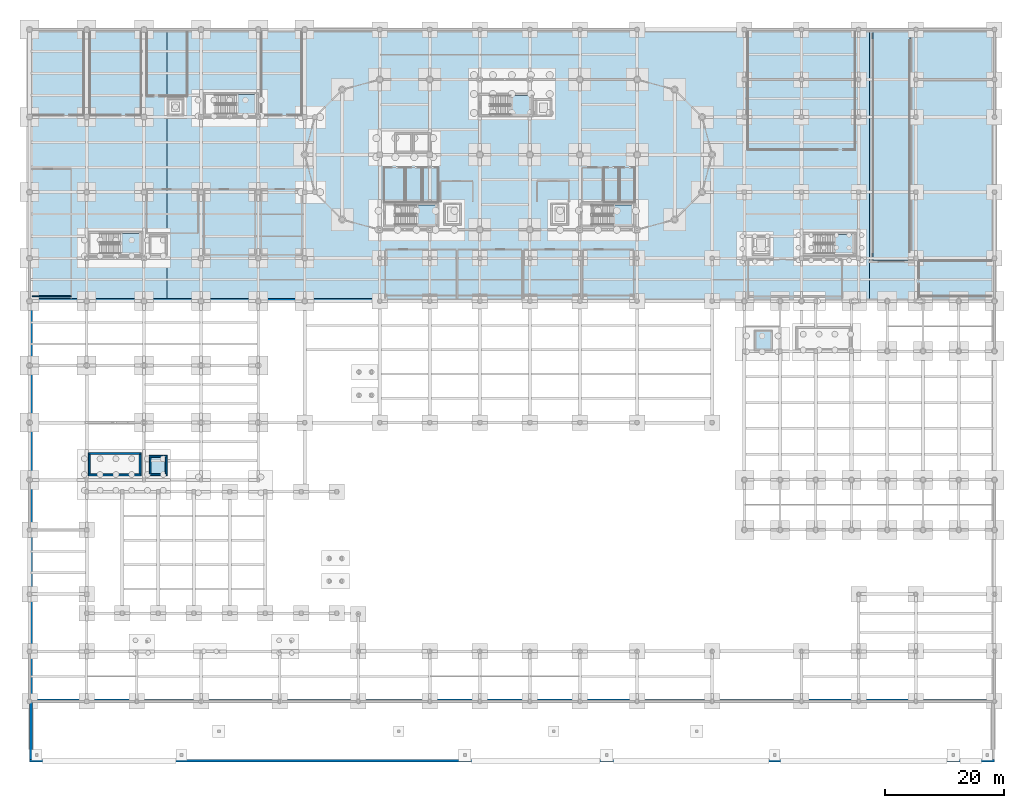
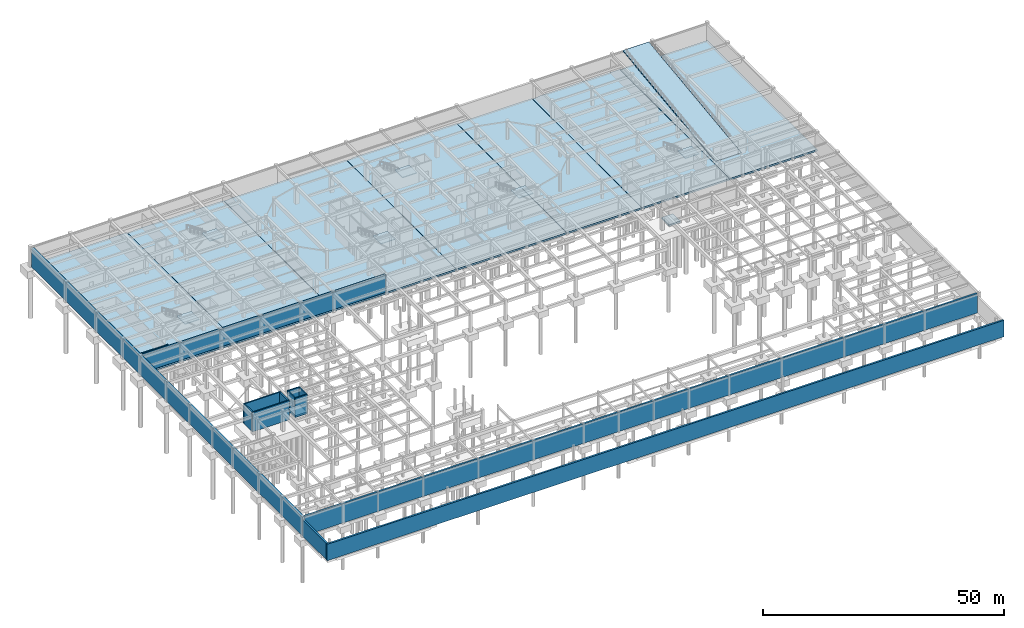
# One storey, part 20 of 37: 16 slabs, 14 walls, 6 elements without a shape of their own.
"""IFC4 building model written with IfcOpenShell, lengths in metres."""

from ifc_helpers import new_model, si_unit, direction, frame, frame_2d, origin, place, context, subcontext, project, spatial, polyline, rectangle, outline, extrude, material, layer, layer_set, type_object, element, aggregate, save


model = new_model("IFC4")

# Units and contexts
model_context = context("Model", 3, precision=1e-05, world=origin(), true_north=direction((0.0, 1.0)))
body_context = subcontext(model_context, "Body", "Model", "MODEL_VIEW")
ifc_project = project(units=[si_unit("LENGTHUNIT", "METRE"), si_unit("AREAUNIT", "SQUARE_METRE"), si_unit("VOLUMEUNIT", "CUBIC_METRE"), si_unit("PLANEANGLEUNIT", "RADIAN"), si_unit("MASSUNIT", "GRAM", prefix="KILO")], contexts=[model_context])

# Site, building, storey
site_placement = place(None, origin())
site = spatial("IfcSite", under=ifc_project, at=site_placement, CompositionType="ELEMENT")
building_placement = place(site_placement, origin())
building = spatial("IfcBuilding", under=site, at=building_placement, Name="Tarnavel Promenade Courthouse", CompositionType="ELEMENT")
storey_placement = place(building_placement, frame((0.0, 0.0, -4.800048828125)))
storey = spatial("IfcBuildingStorey", under=building, at=storey_placement, Name="B01", CompositionType="ELEMENT", Elevation=-4.800048828125)

# Slabs
ifc_material_1 = material(Name="Concrete C35/45", Category="concrete")
ifc_layer_1 = layer(ifc_material_1, 0.419921875)
ifc_layer_set_1 = layer_set([ifc_layer_1], Name="Concrete C35/45")
slab_type_1 = type_object("IfcSlabType", Name="Concrete C35/45 SLB-BASE-420 (420 mm)", PredefinedType="BASESLAB", material=ifc_layer_set_1)
slab_1_placement = place(storey_placement, frame((0.0, 0.0, -0.419921875)))
element("IfcSlab", 1, at=slab_1_placement, inside=storey, type_object=slab_type_1, Name="B01 West Trial Undercroft Base Slab", PredefinedType="BASESLAB", context=body_context, shape_type="SweptSolid", body=[
    extrude(outline(polyline([(0.0, 67.199951171875), (23.080078125, 67.199951171875), (23.080078125, 112.800048828125), (1.39990234375, 112.800048828125), (1.39990234375, 112.639892578125), (0.0, 112.639892578125), (0.0, 67.199951171875)])), origin(), (0.0, 0.0, 1.0), 0.419921875),
])
slab_2_placement = place(storey_placement, frame((0.0, 0.0, -0.419921875)))
element("IfcSlab", 2, at=slab_2_placement, inside=storey, type_object=slab_type_1, Name="B01 East Trial Garage Base Slab", PredefinedType="BASESLAB", context=body_context, shape_type="SweptSolid", body=[
    extrude(outline(polyline([(23.1201171875, 67.199951171875), (46.179931640625, 67.199951171875), (46.179931640625, 112.800048828125), (24.52001953125, 112.800048828125), (24.52001953125, 112.639892578125), (23.1201171875, 112.639892578125), (23.1201171875, 67.199951171875)])), origin(), (0.0, 0.0, 1.0), 0.419921875),
])
slab_3_placement = place(storey_placement, frame((0.0, 0.0, -0.419921875)))
element("IfcSlab", 3, at=slab_3_placement, inside=storey, type_object=slab_type_1, Name="B01 West Bar Judicial Archive Base Slab", PredefinedType="BASESLAB", context=body_context, shape_type="SweptSolid", body=[
    extrude(outline(polyline([(46.219970703125, 67.199951171875), (75.580078125, 67.199951171875), (75.580078125, 112.800048828125), (47.6201171875, 112.800048828125), (47.6201171875, 112.639892578125), (46.219970703125, 112.639892578125), (46.219970703125, 67.199951171875)])), origin(), (0.0, 0.0, 1.0), 0.419921875),
])
slab_4_placement = place(storey_placement, frame((0.0, 0.0, -0.419921875)))
element("IfcSlab", 4, at=slab_4_placement, inside=storey, type_object=slab_type_1, Name="B01 Central Bar MEP Plant Base Slab", PredefinedType="BASESLAB", context=body_context, shape_type="SweptSolid", body=[
    extrude(outline(polyline([(75.6201171875, 67.199951171875), (101.97998046875, 67.199951171875), (101.97998046875, 112.800048828125), (77.02001953125, 112.800048828125), (77.02001953125, 112.639892578125), (75.6201171875, 112.639892578125), (75.6201171875, 67.199951171875)])), origin(), (0.0, 0.0, 1.0), 0.419921875),
])
slab_5_placement = place(storey_placement, frame((0.0, 0.0, -0.419921875)))
element("IfcSlab", 5, at=slab_5_placement, inside=storey, type_object=slab_type_1, Name="B01 East Bar Judicial Garage Base Slab", PredefinedType="BASESLAB", context=body_context, shape_type="SweptSolid", body=[
    extrude(outline(polyline([(102.02001953125, 67.199951171875), (119.97998046875, 67.199951171875), (119.97998046875, 112.800048828125), (103.419921875, 112.800048828125), (103.419921875, 112.639892578125), (102.02001953125, 112.639892578125), (102.02001953125, 67.199951171875)])), origin(), (0.0, 0.0, 1.0), 0.419921875),
])
slab_6_placement = place(storey_placement, frame((0.0, 0.0, -0.419921875)))
element("IfcSlab", 6, at=slab_6_placement, inside=storey, type_object=slab_type_1, Name="B01 Custody Core Base Slab", PredefinedType="BASESLAB", context=body_context, shape_type="SweptSolid", body=[
    extrude(outline(polyline([(120.02001953125, 67.199951171875), (140.97998046875, 67.199951171875), (140.97998046875, 112.800048828125), (121.419921875, 112.800048828125), (121.419921875, 112.639892578125), (120.02001953125, 112.639892578125), (120.02001953125, 67.199951171875)])), origin(), (0.0, 0.0, 1.0), 0.419921875),
])
slab_7_placement = place(storey_placement, frame((0.0, 0.0, -0.419921875)))
element("IfcSlab", 7, at=slab_7_placement, inside=storey, type_object=slab_type_1, Name="B01 Vehicle Ramp Base Slab", PredefinedType="BASESLAB", context=body_context, shape_type="SweptSolid", body=[
    extrude(outline(polyline([(141.02001953125, 67.199951171875), (162.0, 67.199951171875), (162.0, 112.800048828125), (142.419921875, 112.800048828125), (142.419921875, 112.639892578125), (141.02001953125, 112.639892578125), (141.02001953125, 67.199951171875)])), origin(), (0.0, 0.0, 1.0), 0.419921875),
])
ifc_layer_2 = layer(ifc_material_1, 0.3798828125)
ifc_layer_set_2 = layer_set([ifc_layer_2], Name="Concrete C35/45")
slab_type_2 = type_object("IfcSlabType", Name="Concrete C35/45 SLB-PIT-380 (380 mm)", PredefinedType="BASESLAB", material=ifc_layer_set_2)
slab_8_placement = place(storey_placement, frame((0.0, 0.0, -0.419921875)))
element("IfcSlab", 8, at=slab_8_placement, inside=storey, type_object=slab_type_2, Name="L-PUB4 Tanked Lift Pit Base Slab", PredefinedType="BASESLAB", context=body_context, shape_type="SweptSolid", body=[
    extrude(outline(polyline([(121.840087890625, 59.0400390625), (124.56005859375, 59.0400390625), (124.56005859375, 62.159912109375), (121.840087890625, 62.159912109375), (121.840087890625, 59.0400390625)])), origin(), (0.0, 0.0, 1.0), 0.3798828125),
])
slab_9_placement = place(storey_placement, frame((0.0, 0.0, -0.419921875)))
element("IfcSlab", 9, at=slab_9_placement, inside=storey, type_object=slab_type_2, Name="L-LIB1 Tanked Lift Pit Base Slab", PredefinedType="BASESLAB", context=body_context, shape_type="SweptSolid", body=[
    extrude(outline(polyline([(20.239990234375, 38.0400390625), (22.9599609375, 38.0400390625), (22.9599609375, 41.159912109375), (20.239990234375, 41.159912109375), (20.239990234375, 38.0400390625)])), origin(), (0.0, 0.0, 1.0), 0.3798828125),
])
ifc_layer_3 = layer(ifc_material_1, 0.25)
ifc_layer_set_3 = layer_set([ifc_layer_3], Name="Concrete C35/45")
slab_type_3 = type_object("IfcSlabType", Name="Concrete C35/45 SLB-RMP-250 (250 mm)", PredefinedType="FLOOR", material=ifc_layer_set_3)
slab_10_placement = place(storey_placement, frame((141.60009765625, 74.050048828125, 0.0), z_axis=(0.0, -0.124036287512, 0.992277682597), x_axis=(1.0, 0.0, 0.0)))
element("IfcSlab", 10, at=slab_10_placement, inside=storey, type_object=slab_type_3, Name="Judicial Car Park Structural Vehicle Ramp Slab", PredefinedType="FLOOR", context=body_context, shape_type="SweptSolid", body=[
    extrude(outline(polyline([(0.0, 0.0), (6.199951171875, 0.0), (6.199951171875, 38.69874634612756), (0.0, 38.69874634612756), (0.0, 0.0)])), origin(), (0.0, 0.0, -1.0), 0.25),
])

# Stair, slab
stair_type_1 = type_object("IfcStairType", Name="Concrete C35/45 Half-Turn Stair STR-01 (1560W-300G-26R)", PredefinedType="HALF_TURN_STAIR", material=ifc_material_1)
stair_1_placement = place(storey_placement, origin())
stair_1 = element("IfcStair", 11, at=stair_1_placement, inside=storey, type_object=stair_type_1, Name="B01 West Bar Firefighting Exit Stair", PredefinedType="HALF_TURN_STAIR")
ifc_layer_4 = layer(ifc_material_1, 0.205078125)
ifc_layer_set_4 = layer_set([ifc_layer_4], Name="Concrete C35/45")
slab_type_4 = type_object("IfcSlabType", Name="Concrete C35/45 Stair Landing SLB-LND-205 (205 mm)", PredefinedType="LANDING", material=ifc_layer_set_4)
slab_11_placement = place(storey_placement, frame((0.0, 0.0, 2.199951171875)))
slab_11 = element("IfcSlab", 12, at=slab_11_placement, type_object=slab_type_4, Name="ST-01 landing 1", PredefinedType="LANDING", context=body_context, shape_type="SweptSolid", body=[
    extrude(outline(polyline([(64.9599609375, 80.0), (68.39990234375, 80.0), (68.39990234375, 83.320068359375), (64.9599609375, 83.320068359375), (64.9599609375, 80.0)])), origin(), (0.0, 0.0, 1.0), 0.2001953125),
])
aggregate(stair_1, [slab_11])

stair_2_placement = place(storey_placement, origin())
stair_2 = element("IfcStair", 13, at=stair_2_placement, inside=storey, type_object=stair_type_1, Name="B01 East Bar Firefighting Exit Stair", PredefinedType="HALF_TURN_STAIR")
slab_12_placement = place(storey_placement, frame((0.0, 0.0, 2.199951171875)))
slab_12 = element("IfcSlab", 14, at=slab_12_placement, type_object=slab_type_4, Name="ST-02 landing 1", PredefinedType="LANDING", context=body_context, shape_type="SweptSolid", body=[
    extrude(outline(polyline([(97.9599609375, 80.0), (101.39990234375, 80.0), (101.39990234375, 83.320068359375), (97.9599609375, 83.320068359375), (97.9599609375, 80.0)])), origin(), (0.0, 0.0, 1.0), 0.2001953125),
])
aggregate(stair_2, [slab_12])

stair_type_2 = type_object("IfcStairType", Name="Concrete C35/45 Half-Turn Stair STR-04 (1520W-290G-26R)", PredefinedType="HALF_TURN_STAIR", material=ifc_material_1)
stair_3_placement = place(storey_placement, origin())
stair_3 = element("IfcStair", 15, at=stair_3_placement, inside=storey, type_object=stair_type_2, Name="B01 Central Judicial Chambers Exit Stair", PredefinedType="HALF_TURN_STAIR")
slab_13_placement = place(storey_placement, frame((0.0, 0.0, 2.199951171875)))
slab_13 = element("IfcSlab", 16, at=slab_13_placement, type_object=slab_type_4, Name="ST-03 landing 1", PredefinedType="LANDING", context=body_context, shape_type="SweptSolid", body=[
    extrude(outline(polyline([(80.800048828125, 98.5), (84.199951171875, 98.5), (84.199951171875, 101.739990234375), (80.800048828125, 101.739990234375), (80.800048828125, 98.5)])), origin(), (0.0, 0.0, 1.0), 0.2001953125),
])
aggregate(stair_3, [slab_13])

stair_type_3 = type_object("IfcStairType", Name="Concrete C35/45 Half-Turn Stair STR-07 (1580W-290G-26R)", PredefinedType="HALF_TURN_STAIR", material=ifc_material_1)
stair_4_placement = place(storey_placement, origin())
stair_4 = element("IfcStair", 17, at=stair_4_placement, inside=storey, type_object=stair_type_3, Name="B01 Trial Courts West Exit Stair", PredefinedType="HALF_TURN_STAIR")
slab_14_placement = place(storey_placement, frame((0.0, 0.0, 2.199951171875)))
slab_14 = element("IfcSlab", 18, at=slab_14_placement, type_object=slab_type_4, Name="ST-04 landing 1", PredefinedType="LANDING", context=body_context, shape_type="SweptSolid", body=[
    extrude(outline(polyline([(15.260009765625, 75.199951171875), (18.699951171875, 75.199951171875), (18.699951171875, 78.56005859375), (15.260009765625, 78.56005859375), (15.260009765625, 75.199951171875)])), origin(), (0.0, 0.0, 1.0), 0.2001953125),
])
aggregate(stair_4, [slab_14])

stair_type_4 = type_object("IfcStairType", Name="Concrete C35/45 Half-Turn Stair STR-10 (1540W-300G-26R)", PredefinedType="HALF_TURN_STAIR", material=ifc_material_1)
stair_5_placement = place(storey_placement, origin())
stair_5 = element("IfcStair", 19, at=stair_5_placement, inside=storey, type_object=stair_type_4, Name="B01 Trial Courts North Exit Stair", PredefinedType="HALF_TURN_STAIR")
slab_15_placement = place(storey_placement, frame((0.0, 0.0, 2.199951171875)))
slab_15 = element("IfcSlab", 20, at=slab_15_placement, type_object=slab_type_4, Name="ST-07 landing 1", PredefinedType="LANDING", context=body_context, shape_type="SweptSolid", body=[
    extrude(outline(polyline([(34.739990234375, 98.60009765625), (38.10009765625, 98.60009765625), (38.10009765625, 101.8798828125), (34.739990234375, 101.8798828125), (34.739990234375, 98.60009765625)])), origin(), (0.0, 0.0, 1.0), 0.2001953125),
])
aggregate(stair_5, [slab_15])

stair_type_5 = type_object("IfcStairType", Name="Concrete C35/45 Half-Turn Stair STR-15 (1500W-280G-26R)", PredefinedType="HALF_TURN_STAIR", material=ifc_material_1)
stair_6_placement = place(storey_placement, origin())
stair_6 = element("IfcStair", 21, at=stair_6_placement, inside=storey, type_object=stair_type_5, Name="B01 Custody Suite Protected Exit Stair", PredefinedType="HALF_TURN_STAIR")
slab_16_placement = place(storey_placement, frame((0.0, 0.0, 2.199951171875)))
slab_16 = element("IfcSlab", 22, at=slab_16_placement, type_object=slab_type_4, Name="ST-06 landing 1", PredefinedType="LANDING", context=body_context, shape_type="SweptSolid", body=[
    extrude(outline(polyline([(135.06005859375, 75.199951171875), (138.39990234375, 75.199951171875), (138.39990234375, 78.39990234375), (135.06005859375, 78.39990234375), (135.06005859375, 75.199951171875)])), origin(), (0.0, 0.0, 1.0), 0.2001953125),
])
aggregate(stair_6, [slab_16])

# Walls
ifc_layer_5 = layer(ifc_material_1, 0.449951171875)
ifc_layer_set_5 = layer_set([ifc_layer_5], Name="Concrete C35/45")
wall_type_1 = type_object("IfcWallType", Name="Concrete C35/45 WL-RET-450 (450 mm)", PredefinedType="SOLIDWALL", material=ifc_layer_set_5)
wall_1_placement = place(storey_placement, frame((58.800048828125, 67.449951171875, -0.419921875), z_axis=(0.0, 0.0, 1.0), x_axis=(-1.0, 0.0, 0.0)))
element("IfcWall", 23, at=wall_1_placement, inside=storey, type_object=wall_type_1, Name="B01 South Perimeter Retaining Wall 0002", PredefinedType="SOLIDWALL", context=body_context, shape_type="SweptSolid", body=[
    extrude(rectangle(XDim=58.300048828125, YDim=0.449951171875, at=frame_2d((29.14990234375, 0.0))), origin(), (0.0, 0.0, 1.0), 4.869873046875),
])
wall_2_placement = place(storey_placement, frame((0.5, 0.219970703125, -0.419921875), z_axis=(0.0, 0.0, 1.0), x_axis=(1.0, 0.0, 0.0)))
element("IfcWall", 24, at=wall_2_placement, inside=storey, type_object=wall_type_1, Name="B01 South Podium Plinth Retaining Wall 0009", PredefinedType="SOLIDWALL", context=body_context, shape_type="SweptSolid", body=[
    extrude(rectangle(XDim=161.0, YDim=0.449951171875, at=frame_2d((80.5, 0.0))), origin(), (0.0, 0.0, 1.0), 4.889892578125),
])
wall_3_placement = place(storey_placement, frame((0.0, -9.97998046875, -0.419921875), z_axis=(0.0, 0.0, 1.0), x_axis=(1.0, 0.0, 0.0)))
element("IfcWall", 25, at=wall_3_placement, inside=storey, type_object=wall_type_1, Name="B01 South Apron Frost-Skirt Plinth Wall 0010", PredefinedType="SOLIDWALL", context=body_context, shape_type="SweptSolid", body=[
    extrude(rectangle(XDim=162.0, YDim=0.449951171875, at=frame_2d((81.0, 0.0))), origin(), (0.0, 0.0, 1.0), 4.14990234375),
])
wall_4_placement = place(storey_placement, frame((0.25, -9.760009765625, -0.419921875), z_axis=(0.0, 0.0, 1.0), x_axis=(0.0, 1.0, 0.0)))
element("IfcWall", 26, at=wall_4_placement, inside=storey, type_object=wall_type_1, Name="B01 West Apron Frost-Skirt Plinth Wall 0011", PredefinedType="SOLIDWALL", context=body_context, shape_type="SweptSolid", body=[
    extrude(rectangle(XDim=9.760009765625, YDim=0.449951171875, at=frame_2d((4.8798828125, 0.0))), origin(), (0.0, 0.0, 1.0), 4.14990234375),
])
ifc_layer_6 = layer(ifc_material_1, 0.5)
ifc_layer_set_6 = layer_set([ifc_layer_6], Name="Concrete C35/45")
wall_type_2 = type_object("IfcWallType", Name="Concrete C35/45 WL-RET-500 (500 mm)", PredefinedType="SOLIDWALL", material=ifc_layer_set_6)
wall_5_placement = place(storey_placement, frame((0.25, 0.0, -0.419921875), z_axis=(0.0, 0.0, 1.0), x_axis=(0.0, 1.0, 0.0)))
element("IfcWall", 27, at=wall_5_placement, inside=storey, type_object=wall_type_2, Name="B01 West Perimeter Retaining Wall 0007", PredefinedType="SOLIDWALL", context=body_context, shape_type="SweptSolid", body=[
    extrude(rectangle(XDim=112.300048828125, YDim=0.5, at=frame_2d((56.14990234375, 0.0))), origin(), (0.0, 0.0, 1.0), 4.869873046875),
])
ifc_material_2 = material(Name="Concrete C40/50", Category="concrete")
ifc_layer_7 = layer(ifc_material_2, 0.280029296875)
ifc_layer_set_7 = layer_set([ifc_layer_7], Name="Concrete C40/50")
wall_type_3 = type_object("IfcWallType", Name="Concrete C40/50 WL-SHR-280 (280 mm)", PredefinedType="SHEAR", material=ifc_layer_set_7)
for number, where, z_axis, x_axis, name in (
    (28, (20.10009765625, 41.159912109375, -0.419921875), (0.0, 0.0, 1.0), (1.0, 0.0, 0.0), "B01 L-LIB1 Lift Shaft North Wall"),
    (29, (23.10009765625, 38.0400390625, -0.419921875), (0.0, 0.0, 1.0), (-1.0, 0.0, 0.0), "B01 L-LIB1 Lift Shaft South Wall"),
):
    element("IfcWall", number, at=place(storey_placement, frame(where, z_axis=z_axis, x_axis=x_axis)), inside=storey, type_object=wall_type_3, Name=name, PredefinedType="SHEAR", context=body_context, shape_type="SweptSolid", body=[
        extrude(rectangle(XDim=3.0, YDim=0.280029296875, at=frame_2d((1.5, 0.0))), origin(), (0.0, 0.0, 1.0), 4.875),
    ])
for number, where, z_axis, x_axis, name in (
    (30, (20.239990234375, 38.179931640625, -0.419921875), (0.0, 0.0, 1.0), (0.0, 1.0, 0.0), "B01 L-LIB1 Lift Shaft West Wall"),
    (31, (22.9599609375, 41.02001953125, -0.419921875), (0.0, 0.0, 1.0), (0.0, -1.0, 0.0), "B01 L-LIB1 Lift Shaft East Wall"),
):
    element("IfcWall", number, at=place(storey_placement, frame(where, z_axis=z_axis, x_axis=x_axis)), inside=storey, type_object=wall_type_3, Name=name, PredefinedType="SHEAR", context=body_context, shape_type="SweptSolid", body=[
        extrude(rectangle(XDim=2.840087890625, YDim=0.280029296875, at=frame_2d((1.419921875, 0.0))), origin(), (0.0, 0.0, 1.0), 4.875),
    ])
ifc_layer_8 = layer(ifc_material_2, 0.320068359375)
ifc_layer_set_8 = layer_set([ifc_layer_8], Name="Concrete C40/50")
wall_type_4 = type_object("IfcWallType", Name="Concrete C40/50 WL-SHR-320 (320 mm)", PredefinedType="SHEAR", material=ifc_layer_set_8)
for number, where, z_axis, x_axis, name in (
    (32, (9.860107421875, 41.6201171875, -0.419921875), (0.0, 0.0, 1.0), (1.0, 0.0, 0.0), "B01 ST-05 Shear Core North Wall"),
    (33, (18.739990234375, 38.02001953125, -0.419921875), (0.0, 0.0, 1.0), (-1.0, 0.0, 0.0), "B01 ST-05 Shear Core South Wall"),
):
    element("IfcWall", number, at=place(storey_placement, frame(where, z_axis=z_axis, x_axis=x_axis)), inside=storey, type_object=wall_type_4, Name=name, PredefinedType="SHEAR", context=body_context, shape_type="SweptSolid", body=[
        extrude(rectangle(XDim=8.8798828125, YDim=0.320068359375, at=frame_2d((4.43994140625, 0.0))), origin(), (0.0, 0.0, 1.0), 4.875),
    ])
for number, where, z_axis, x_axis, name in (
    (34, (10.02001953125, 38.179931640625, -0.419921875), (0.0, 0.0, 1.0), (0.0, 1.0, 0.0), "B01 ST-05 Shear Core West Landing Wall"),
    (35, (18.580078125, 41.4599609375, -0.419921875), (0.0, 0.0, 1.0), (0.0, -1.0, 0.0), "B01 ST-05 Shear Core East Wall"),
):
    element("IfcWall", number, at=place(storey_placement, frame(where, z_axis=z_axis, x_axis=x_axis)), inside=storey, type_object=wall_type_4, Name=name, PredefinedType="SHEAR", context=body_context, shape_type="SweptSolid", body=[
        extrude(rectangle(XDim=3.280029296875, YDim=0.320068359375, at=frame_2d((1.64013671875, 0.0))), origin(), (0.0, 0.0, 1.0), 4.875),
    ])
ifc_material_3 = material(Name="Concrete Masonry Fire Compartment Wall", Category="masonry")
ifc_layer_9 = layer(ifc_material_3, 0.205078125)
ifc_layer_set_9 = layer_set([ifc_layer_9], Name="Concrete Masonry Fire Compartment Wall")
wall_type_5 = type_object("IfcWallType", Name="Concrete Masonry Fire Compartment Wall WL-CMP-205 (205 mm)", PredefinedType="STANDARD", material=ifc_layer_set_9)
wall_6_placement = place(storey_placement, frame((7.0, 68.0, 0.0), z_axis=(0.0, 0.0, 1.0), x_axis=(-1.0, 0.0, 0.0)))
element("IfcWall", 36, at=wall_6_placement, inside=storey, type_object=wall_type_5, Name="B01 Judicial Archive Vault West Partition 0043", PredefinedType="STANDARD", context=body_context, shape_type="SweptSolid", body=[
    extrude(rectangle(XDim=6.506103515625, YDim=0.205078125, at=frame_2d((3.2529296875, 0.0))), origin(), (0.0, 0.0, 1.0), 4.505126953125),
])

save(model, "model.ifc")
